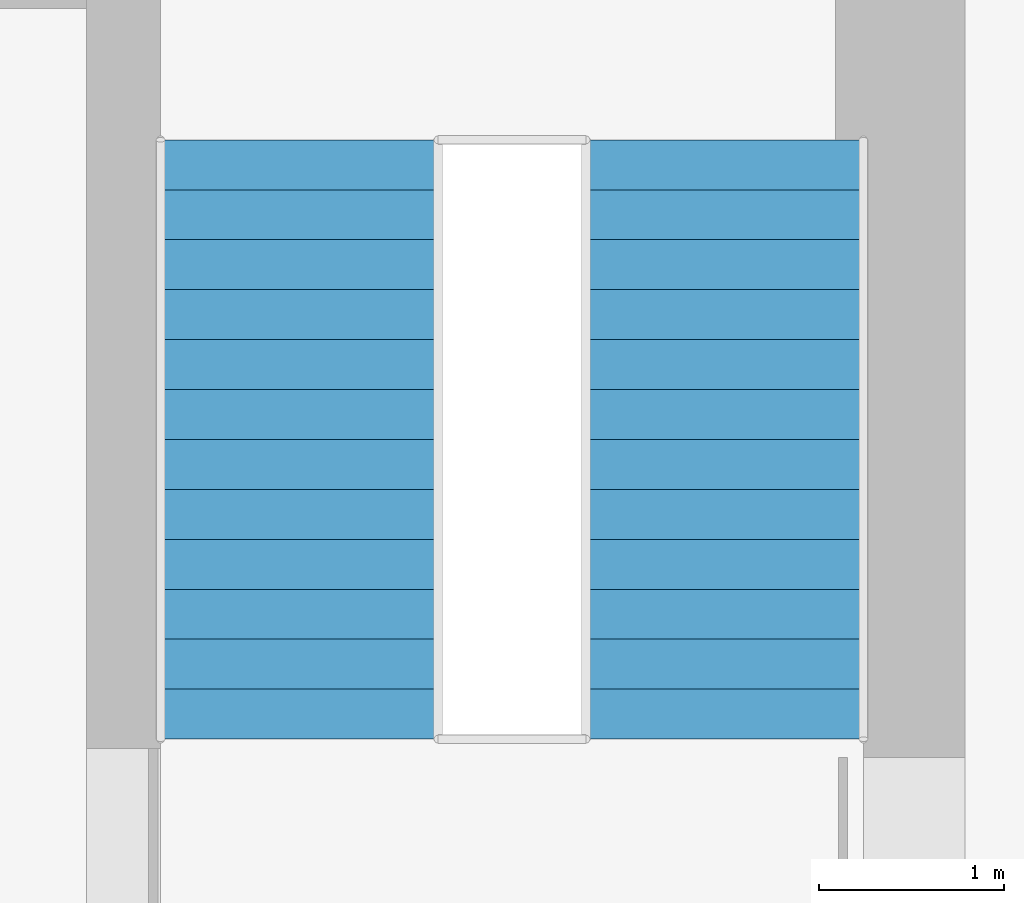
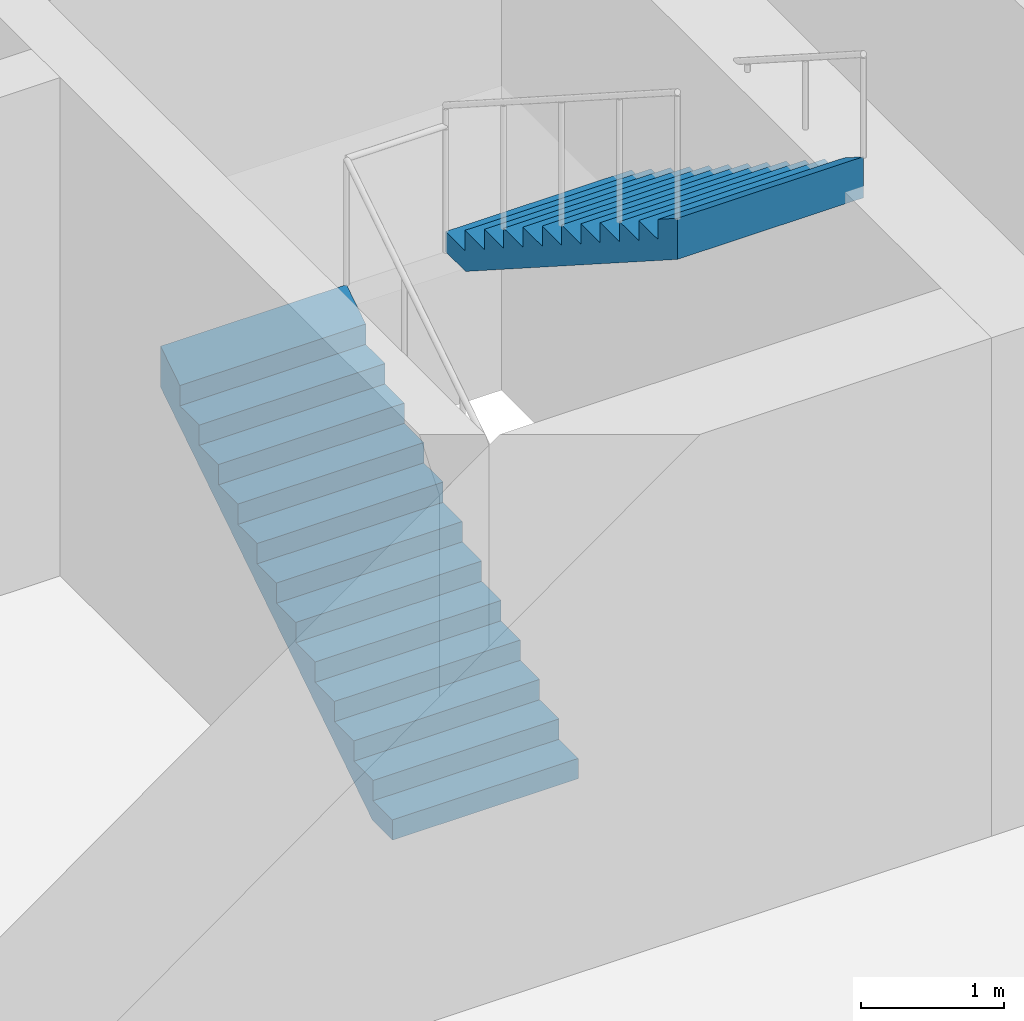
# One storey, part 17 of 31: 2 stair flights, 1 element without a shape of its own.
"""IFC4 building model written with IfcOpenShell, lengths in metres."""

import ifcopenshell
import ifcopenshell.guid

model = None  # the IFC model being written
_history = None  # IfcOwnerHistory: only IFC2X3 demands one
_inside = {}  # id of a spatial element -> (the spatial element, [elements in it])
_under = {}  # id of a project, library or spatial element -> (it, [spatial elements below it])
_declared = {}  # id of a project -> (the project, [libraries it declares])
_typed = {}  # id of a type object -> (the type object, [elements of that type])
_made_of = {}  # id of a material, layer set ... -> (it, [elements and type objects made of it])


def new_model(schema):
    """Start an empty IFC model of exactly this schema.

    Asked for "IFC4X3", IfcOpenShell would pick the latest addendum, in which some entities
    have other attributes; the version numbers below select the first issue.
    IFC2X3 requires an IfcOwnerHistory on every rooted entity: one is made here for all.
    """
    global model, _history
    if schema == "IFC4X3":
        model = ifcopenshell.file(schema_version=(4, 3, 0, 0))
    else:
        model = ifcopenshell.file(schema=schema)
    _inside.clear()
    _under.clear()
    _declared.clear()
    _typed.clear()
    _made_of.clear()
    _history = None
    if model.schema == "IFC2X3":
        org = make("IfcOrganization", Name="unknown")
        user = make(
            "IfcPersonAndOrganization",
            ThePerson=make("IfcPerson", FamilyName="unknown"),
            TheOrganization=org,
        )
        app = make(
            "IfcApplication",
            ApplicationDeveloper=org,
            Version="unknown",
            ApplicationFullName="unknown",
            ApplicationIdentifier="unknown",
        )
        _history = make(
            "IfcOwnerHistory",
            OwningUser=user,
            OwningApplication=app,
            ChangeAction="ADDED",
            CreationDate=0,
        )
    return model


def make(cls, **values):
    """One entity of the class cls with the attributes given. An attribute that is None is left unset."""
    return model.create_entity(
        cls, **{name: value for name, value in values.items() if value is not None}
    )


def rooted(cls, **values):
    """An entity with a GlobalId (a new one), such as an element, a storey or a relation."""
    return make(cls, GlobalId=ifcopenshell.guid.new(), OwnerHistory=_history, **values)


def si_unit(unit_type, name, prefix=None):
    """IfcSIUnit, for example si_unit("LENGTHUNIT", "METRE", prefix="MILLI")."""
    return make("IfcSIUnit", UnitType=unit_type, Prefix=prefix, Name=name)


def assignment(units):
    """IfcUnitAssignment: the units of a project."""
    return None if units is None else make("IfcUnitAssignment", Units=units)


def point(xyz):
    """IfcCartesianPoint."""
    return None if xyz is None else make("IfcCartesianPoint", Coordinates=xyz)


def direction(xyz):
    """IfcDirection."""
    return None if xyz is None else make("IfcDirection", DirectionRatios=xyz)


def frame(location, z_axis=None, x_axis=None):
    """IfcAxis2Placement3D, a coordinate frame: its origin and axes. An axis left out is left unset."""
    return make(
        "IfcAxis2Placement3D",
        Location=point(location),
        Axis=direction(z_axis),
        RefDirection=direction(x_axis),
    )


def origin():
    """The frame at (0, 0, 0) with its axes left unset."""
    return frame((0.0, 0.0, 0.0))


def place(relative_to, where):
    """IfcLocalPlacement: puts the frame where relative to a parent placement (None: the world)."""
    return make(
        "IfcLocalPlacement", PlacementRelTo=relative_to, RelativePlacement=where
    )


def context(
    kind, dimensions, precision=None, world=None, true_north=None, identifier=None
):
    """IfcGeometricRepresentationContext, for example the 3D "Model" context."""
    return make(
        "IfcGeometricRepresentationContext",
        ContextIdentifier=identifier,
        ContextType=kind,
        CoordinateSpaceDimension=dimensions,
        Precision=precision,
        WorldCoordinateSystem=world,
        TrueNorth=true_north,
    )


def subcontext(parent, identifier, kind, view, scale=None):
    """IfcGeometricRepresentationSubContext, for example "Body" below "Model"."""
    return make(
        "IfcGeometricRepresentationSubContext",
        ContextIdentifier=identifier,
        ContextType=kind,
        ParentContext=parent,
        TargetScale=scale,
        TargetView=view,
    )


def project(units=None, contexts=None):
    """IfcProject with its units and contexts."""
    return rooted(
        "IfcProject",
        Name="project",
        RepresentationContexts=contexts,
        UnitsInContext=assignment(units),
    )


def spatial(cls, under=None, at=None, **own):
    """A site, building, storey or space (cls), placed at a placement, below another one or the project."""
    s = rooted(cls, ObjectPlacement=at, **own)
    if under is not None:
        _under.setdefault(under.id(), (under, []))[1].append(s)
    return s


def point_list(points):
    """IfcCartesianPointList2D or 3D."""
    cls = (
        "IfcCartesianPointList2D" if len(points[0]) == 2 else "IfcCartesianPointList3D"
    )
    return make(cls, CoordList=points)


def triangles(points, corners, closed=None, point_numbers=None):
    """IfcTriangulatedFaceSet: each triangle names its three corners, points numbered from 1."""
    return make(
        "IfcTriangulatedFaceSet",
        Coordinates=point_list(points),
        Closed=closed,
        CoordIndex=corners,
        PnIndex=point_numbers,
    )


def shape(context_of_items, identifier, shape_type, items):
    """IfcShapeRepresentation: the items that make up one representation, for example the "Body"."""
    return make(
        "IfcShapeRepresentation",
        ContextOfItems=context_of_items,
        RepresentationIdentifier=identifier,
        RepresentationType=shape_type,
        Items=items,
    )


def material(Name=None, Category=None):
    """IfcMaterial."""
    return make("IfcMaterial", Name=Name, Category=Category)


def made_of(thing, what):
    """Note that an element or type object is made of a material, layer set ...; save() writes the relation."""
    if what is not None:
        _made_of.setdefault(what.id(), (what, []))[1].append(thing)
    return thing


def type_object(cls, material=None, **own):
    """A type object (cls), such as IfcWallType, which elements share."""
    return made_of(rooted(cls, **own), material)


def element(
    cls,
    number,
    at=None,
    inside=None,
    cuts=None,
    type_object=None,
    material=None,
    context=None,
    identifier="Body",
    shape_type=None,
    held_by="IfcProductDefinitionShape",
    body=None,
    shapes=None,
    **own,
):
    """One element of the class cls, such as IfcWall. Its Tag is "e" and its number.

    at: its placement. inside: the storey or other place that contains it. cuts: it is an
    opening in that element (IfcRelVoidsElement). A single representation is given by context,
    identifier, shape_type and body (its items); several are given by shapes. held_by: the class
    of the entity that holds the representations. save() writes the other relations.
    """
    e = rooted(cls, Tag="e%d" % number, ObjectPlacement=at, **own)
    if body is not None:
        shapes = [shape(context, identifier, shape_type, body)]
    if shapes is not None:
        e.Representation = make(held_by, Representations=shapes)
    if inside is not None:
        _inside.setdefault(inside.id(), (inside, []))[1].append(e)
    if cuts is not None:
        rooted(
            "IfcRelVoidsElement", RelatingBuildingElement=cuts, RelatedOpeningElement=e
        )
    if type_object is not None:
        _typed.setdefault(type_object.id(), (type_object, []))[1].append(e)
    return made_of(e, material)


def aggregate(whole, parts):
    """IfcRelAggregates: a whole, such as a stair, and the parts it consists of."""
    return rooted("IfcRelAggregates", RelatingObject=whole, RelatedObjects=parts)


def save(model, path):
    """Write the relations noted so far, then the file.

    IfcRelAggregates (storeys below a building ...), IfcRelContainedInSpatialStructure (elements
    in a storey), IfcRelDefinesByType, IfcRelAssociatesMaterial and IfcRelDeclares: one each for
    every whole, place, type object, material and project.
    """
    for whole, parts in _under.values():
        aggregate(whole, parts)
    for where, things in _inside.values():
        rooted(
            "IfcRelContainedInSpatialStructure",
            RelatedElements=things,
            RelatingStructure=where,
        )
    for kind, things in _typed.values():
        rooted("IfcRelDefinesByType", RelatedObjects=things, RelatingType=kind)
    for what, things in _made_of.values():
        rooted("IfcRelAssociatesMaterial", RelatedObjects=things, RelatingMaterial=what)
    for by, libraries in _declared.values():
        rooted("IfcRelDeclares", RelatingContext=by, RelatedDefinitions=libraries)
    model.write(path)


model = new_model("IFC4")

# Units and contexts
model_context = context("Model", 3, precision=1e-05, world=origin(), true_north=direction((0.0, 1.0)))
body_context = subcontext(model_context, "Body", "Model", "MODEL_VIEW")
ifc_project = project(units=[si_unit("LENGTHUNIT", "METRE"), si_unit("AREAUNIT", "SQUARE_METRE"), si_unit("VOLUMEUNIT", "CUBIC_METRE"), si_unit("PLANEANGLEUNIT", "RADIAN"), si_unit("MASSUNIT", "GRAM", prefix="KILO")], contexts=[model_context])

# Site, building, storey
site_placement = place(None, origin())
site = spatial("IfcSite", under=ifc_project, at=site_placement, CompositionType="ELEMENT")
building_placement = place(site_placement, origin())
building = spatial("IfcBuilding", under=site, at=building_placement, Name="Ludao Terraces", CompositionType="ELEMENT")
storey_placement = place(building_placement, frame((0.0, 0.0, 15.0)))
storey = spatial("IfcBuildingStorey", under=building, at=storey_placement, Name="L03", CompositionType="ELEMENT", Elevation=15.0)

# Stair, stair flights
ifc_material = material(Name="Concrete C40", Category="concrete")
stair_type = type_object("IfcStairType", Name="INT Stair", PredefinedType="HALF_TURN_STAIR", material=ifc_material)
stair_placement = place(storey_placement, origin())
stair = element("IfcStair", 1, at=stair_placement, inside=storey, type_object=stair_type, Name="EXIT STAIR 3", PredefinedType="HALF_TURN_STAIR")
stair_flight_type = type_object("IfcStairFlightType", Name="INT Stair flight", PredefinedType="STRAIGHT", material=ifc_material)
stair_flight_1_placement = place(storey_placement, frame((91.5, 56.949951171875, 0.0), z_axis=(0.0, 0.0, 1.0), x_axis=(0.0, 1.0, 0.0)))
stair_flight_1 = element("IfcStairFlight", 2, at=stair_flight_1_placement, type_object=stair_flight_type, Name="ST3 flight 1", NumberOfRisers=13, NumberOfTreads=12, PredefinedType="STRAIGHT", RiserHeight=0.173077, TreadLength=0.27, context=body_context, shape_type="Tessellation", body=[
    triangles([(0.0, -0.75, 0.0), (0.0, -0.5, 0.0), (0.0, -0.25, 0.0), (0.0, 0.0, 0.0), (0.0, 0.25, 0.0), (0.0, 0.5, 0.0), (0.0, 0.75, 0.0), (0.0, -0.75, 0.173095703125), (0.0, -0.5, 0.173095703125), (0.0, -0.25, 0.173095703125), (0.0, 0.0, 0.173095703125), (0.0, 0.25, 0.173095703125), (0.0, 0.5, 0.173095703125), (0.0, 0.75, 0.173095703125), (0.27001953125, -0.75, 0.173095703125), (0.27001953125, -0.5, 0.173095703125), (0.27001953125, -0.25, 0.173095703125), (0.27001953125, 0.0, 0.173095703125), (0.27001953125, 0.25, 0.173095703125), (0.27001953125, 0.5, 0.173095703125), (0.27001953125, 0.75, 0.173095703125), (0.27001953125, -0.75, 0.34619140625), (0.27001953125, -0.5, 0.34619140625), (0.27001953125, -0.25, 0.34619140625), (0.27001953125, 0.0, 0.34619140625), (0.27001953125, 0.25, 0.34619140625), (0.27001953125, 0.5, 0.34619140625), (0.27001953125, 0.75, 0.34619140625), (0.5400390625, -0.75, 0.34619140625), (0.5400390625, -0.5, 0.34619140625), (0.5400390625, -0.25, 0.34619140625), (0.5400390625, 0.0, 0.34619140625), (0.5400390625, 0.25, 0.34619140625), (0.5400390625, 0.5, 0.34619140625), (0.5400390625, 0.75, 0.34619140625), (0.5400390625, -0.75, 0.519287109375), (0.5400390625, -0.5, 0.519287109375), (0.5400390625, -0.25, 0.519287109375), (0.5400390625, 0.0, 0.519287109375), (0.5400390625, 0.25, 0.519287109375), (0.5400390625, 0.5, 0.519287109375), (0.5400390625, 0.75, 0.519287109375), (0.81005859375, -0.75, 0.519287109375), (0.81005859375, -0.5, 0.519287109375), (0.81005859375, -0.25, 0.519287109375), (0.81005859375, 0.0, 0.519287109375), (0.81005859375, 0.25, 0.519287109375), (0.81005859375, 0.5, 0.519287109375), (0.81005859375, 0.75, 0.519287109375), (0.81005859375, -0.75, 0.6923828125), (0.81005859375, -0.5, 0.6923828125), (0.81005859375, -0.25, 0.6923828125), (0.81005859375, 0.0, 0.6923828125), (0.81005859375, 0.25, 0.6923828125), (0.81005859375, 0.5, 0.6923828125), (0.81005859375, 0.75, 0.6923828125), (1.080078125, -0.75, 0.6923828125), (1.080078125, -0.5, 0.6923828125), (1.080078125, -0.25, 0.6923828125), (1.080078125, 0.0, 0.6923828125), (1.080078125, 0.25, 0.6923828125), (1.080078125, 0.5, 0.6923828125), (1.080078125, 0.75, 0.6923828125), (1.080078125, -0.75, 0.865478515625), (1.080078125, -0.5, 0.865478515625), (1.080078125, -0.25, 0.865478515625), (1.080078125, 0.0, 0.865478515625), (1.080078125, 0.25, 0.865478515625), (1.080078125, 0.5, 0.865478515625), (1.080078125, 0.75, 0.865478515625), (1.35009765625, -0.75, 0.865478515625), (1.35009765625, -0.5, 0.865478515625), (1.35009765625, -0.25, 0.865478515625), (1.35009765625, 0.0, 0.865478515625), (1.35009765625, 0.25, 0.865478515625), (1.35009765625, 0.5, 0.865478515625), (1.35009765625, 0.75, 0.865478515625), (1.35009765625, -0.75, 1.03857421875), (1.35009765625, -0.5, 1.03857421875), (1.35009765625, -0.25, 1.03857421875), (1.35009765625, 0.0, 1.03857421875), (1.35009765625, 0.25, 1.03857421875), (1.35009765625, 0.5, 1.03857421875), (1.35009765625, 0.75, 1.03857421875), (1.6201171875, -0.75, 1.03857421875), (1.6201171875, -0.5, 1.03857421875), (1.6201171875, -0.25, 1.03857421875), (1.6201171875, 0.0, 1.03857421875), (1.6201171875, 0.25, 1.03857421875), (1.6201171875, 0.5, 1.03857421875), (1.6201171875, 0.75, 1.03857421875), (1.6201171875, -0.75, 1.21142578125), (1.6201171875, -0.5, 1.21142578125), (1.6201171875, -0.25, 1.21142578125), (1.6201171875, 0.0, 1.21142578125), (1.6201171875, 0.25, 1.21142578125), (1.6201171875, 0.5, 1.21142578125), (1.6201171875, 0.75, 1.21142578125), (1.889892578125, -0.75, 1.21142578125), (1.889892578125, -0.5, 1.21142578125), (1.889892578125, -0.25, 1.21142578125), (1.889892578125, 0.0, 1.21142578125), (1.889892578125, 0.25, 1.21142578125), (1.889892578125, 0.5, 1.21142578125), (1.889892578125, 0.75, 1.21142578125), (1.889892578125, -0.75, 1.384521484375), (1.889892578125, -0.5, 1.384521484375), (1.889892578125, -0.25, 1.384521484375), (1.889892578125, 0.0, 1.384521484375), (1.889892578125, 0.25, 1.384521484375), (1.889892578125, 0.5, 1.384521484375), (1.889892578125, 0.75, 1.384521484375), (2.159912109375, -0.75, 1.384521484375), (2.159912109375, -0.5, 1.384521484375), (2.159912109375, -0.25, 1.384521484375), (2.159912109375, 0.0, 1.384521484375), (2.159912109375, 0.25, 1.384521484375), (2.159912109375, 0.5, 1.384521484375), (2.159912109375, 0.75, 1.384521484375), (2.159912109375, -0.75, 1.5576171875), (2.159912109375, -0.5, 1.5576171875), (2.159912109375, -0.25, 1.5576171875), (2.159912109375, 0.0, 1.5576171875), (2.159912109375, 0.25, 1.5576171875), (2.159912109375, 0.5, 1.5576171875), (2.159912109375, 0.75, 1.5576171875), (2.429931640625, -0.75, 1.5576171875), (2.429931640625, -0.5, 1.5576171875), (2.429931640625, -0.25, 1.5576171875), (2.429931640625, 0.0, 1.5576171875), (2.429931640625, 0.25, 1.5576171875), (2.429931640625, 0.5, 1.5576171875), (2.429931640625, 0.75, 1.5576171875), (2.429931640625, -0.75, 1.730712890625), (2.429931640625, -0.5, 1.730712890625), (2.429931640625, -0.25, 1.730712890625), (2.429931640625, 0.0, 1.730712890625), (2.429931640625, 0.25, 1.730712890625), (2.429931640625, 0.5, 1.730712890625), (2.429931640625, 0.75, 1.730712890625), (2.699951171875, -0.75, 1.730712890625), (2.699951171875, -0.5, 1.730712890625), (2.699951171875, -0.25, 1.730712890625), (2.699951171875, 0.0, 1.730712890625), (2.699951171875, 0.25, 1.730712890625), (2.699951171875, 0.5, 1.730712890625), (2.699951171875, 0.75, 1.730712890625), (2.699951171875, -0.75, 1.90380859375), (2.699951171875, -0.5, 1.90380859375), (2.699951171875, -0.25, 1.90380859375), (2.699951171875, 0.0, 1.90380859375), (2.699951171875, 0.25, 1.90380859375), (2.699951171875, 0.5, 1.90380859375), (2.699951171875, 0.75, 1.90380859375), (2.969970703125, -0.75, 1.90380859375), (2.969970703125, -0.5, 1.90380859375), (2.969970703125, -0.25, 1.90380859375), (2.969970703125, 0.0, 1.90380859375), (2.969970703125, 0.25, 1.90380859375), (2.969970703125, 0.5, 1.90380859375), (2.969970703125, 0.75, 1.90380859375), (2.969970703125, -0.75, 2.076904296875), (2.969970703125, -0.5, 2.076904296875), (2.969970703125, -0.25, 2.076904296875), (2.969970703125, 0.0, 2.076904296875), (2.969970703125, 0.25, 2.076904296875), (2.969970703125, 0.5, 2.076904296875), (2.969970703125, 0.75, 2.076904296875), (3.239990234375, -0.75, 2.25), (3.239990234375, -0.5, 2.25), (3.239990234375, -0.25, 2.25), (3.239990234375, 0.0, 2.25), (3.239990234375, 0.25, 2.25), (3.239990234375, 0.5, 2.25), (3.239990234375, 0.75, 2.25), (3.239990234375, -0.75, 1.89892578125), (3.239990234375, -0.5, 1.89892578125), (3.239990234375, -0.25, 1.89892578125), (3.239990234375, 0.0, 1.89892578125), (3.239990234375, 0.25, 1.89892578125), (3.239990234375, 0.5, 1.89892578125), (3.239990234375, 0.75, 1.89892578125), (0.27783203125, -0.75, 0.0), (0.27783203125, -0.5, 0.0), (0.27783203125, -0.25, 0.0), (0.27783203125, 0.0, 0.0), (0.27783203125, 0.25, 0.0), (0.27783203125, 0.5, 0.0), (0.27783203125, 0.75, 0.0)], [[1, 183, 176], [7, 182, 189], [176, 169, 162], [182, 168, 175], [176, 162, 155], [182, 161, 168], [176, 155, 148], [182, 154, 161], [176, 148, 141], [182, 147, 154], [141, 134, 127], [147, 133, 140], [176, 141, 127], [182, 133, 147], [127, 120, 113], [133, 119, 126], [176, 127, 113], [182, 119, 133], [113, 106, 99], [119, 105, 112], [176, 113, 99], [182, 105, 119], [1, 176, 99], [7, 105, 182], [99, 92, 85], [105, 91, 98], [85, 78, 71], [91, 77, 84], [99, 85, 71], [105, 77, 91], [71, 64, 57], [77, 63, 70], [99, 71, 57], [105, 63, 77], [57, 50, 43], [63, 49, 56], [99, 57, 43], [105, 49, 63], [43, 36, 29], [49, 35, 42], [99, 43, 29], [105, 35, 49], [29, 22, 15], [35, 21, 28], [99, 29, 15], [105, 21, 35], [1, 99, 15], [7, 21, 105], [15, 8, 1], [21, 7, 14], [1, 9, 2], [1, 8, 9], [2, 10, 3], [2, 9, 10], [3, 11, 4], [3, 10, 11], [4, 12, 5], [4, 11, 12], [5, 13, 6], [5, 12, 13], [6, 14, 7], [6, 13, 14], [8, 16, 9], [8, 15, 16], [9, 17, 10], [9, 16, 17], [10, 18, 11], [10, 17, 18], [11, 19, 12], [11, 18, 19], [12, 20, 13], [12, 19, 20], [13, 21, 14], [13, 20, 21], [15, 23, 16], [15, 22, 23], [16, 24, 17], [16, 23, 24], [17, 25, 18], [17, 24, 25], [18, 26, 19], [18, 25, 26], [19, 27, 20], [19, 26, 27], [20, 28, 21], [20, 27, 28], [22, 30, 23], [22, 29, 30], [23, 31, 24], [23, 30, 31], [24, 32, 25], [24, 31, 32], [25, 33, 26], [25, 32, 33], [26, 34, 27], [26, 33, 34], [27, 35, 28], [27, 34, 35], [29, 37, 30], [29, 36, 37], [30, 38, 31], [30, 37, 38], [31, 39, 32], [31, 38, 39], [32, 40, 33], [32, 39, 40], [33, 41, 34], [33, 40, 41], [34, 42, 35], [34, 41, 42], [36, 44, 37], [36, 43, 44], [37, 45, 38], [37, 44, 45], [38, 46, 39], [38, 45, 46], [39, 47, 40], [39, 46, 47], [40, 48, 41], [40, 47, 48], [41, 49, 42], [41, 48, 49], [43, 51, 44], [43, 50, 51], [44, 52, 45], [44, 51, 52], [45, 53, 46], [45, 52, 53], [46, 54, 47], [46, 53, 54], [47, 55, 48], [47, 54, 55], [48, 56, 49], [48, 55, 56], [50, 58, 51], [50, 57, 58], [51, 59, 52], [51, 58, 59], [52, 60, 53], [52, 59, 60], [53, 61, 54], [53, 60, 61], [54, 62, 55], [54, 61, 62], [55, 63, 56], [55, 62, 63], [57, 65, 58], [57, 64, 65], [58, 66, 59], [58, 65, 66], [59, 67, 60], [59, 66, 67], [60, 68, 61], [60, 67, 68], [61, 69, 62], [61, 68, 69], [62, 70, 63], [62, 69, 70], [64, 72, 65], [64, 71, 72], [65, 73, 66], [65, 72, 73], [66, 74, 67], [66, 73, 74], [67, 75, 68], [67, 74, 75], [68, 76, 69], [68, 75, 76], [69, 77, 70], [69, 76, 77], [71, 79, 72], [71, 78, 79], [72, 80, 73], [72, 79, 80], [73, 81, 74], [73, 80, 81], [74, 82, 75], [74, 81, 82], [75, 83, 76], [75, 82, 83], [76, 84, 77], [76, 83, 84], [78, 86, 79], [78, 85, 86], [79, 87, 80], [79, 86, 87], [80, 88, 81], [80, 87, 88], [81, 89, 82], [81, 88, 89], [82, 90, 83], [82, 89, 90], [83, 91, 84], [83, 90, 91], [85, 93, 86], [85, 92, 93], [86, 94, 87], [86, 93, 94], [87, 95, 88], [87, 94, 95], [88, 96, 89], [88, 95, 96], [89, 97, 90], [89, 96, 97], [90, 98, 91], [90, 97, 98], [92, 100, 93], [92, 99, 100], [93, 101, 94], [93, 100, 101], [94, 102, 95], [94, 101, 102], [95, 103, 96], [95, 102, 103], [96, 104, 97], [96, 103, 104], [97, 105, 98], [97, 104, 105], [99, 107, 100], [99, 106, 107], [100, 108, 101], [100, 107, 108], [101, 109, 102], [101, 108, 109], [102, 110, 103], [102, 109, 110], [103, 111, 104], [103, 110, 111], [104, 112, 105], [104, 111, 112], [106, 114, 107], [106, 113, 114], [107, 115, 108], [107, 114, 115], [108, 116, 109], [108, 115, 116], [109, 117, 110], [109, 116, 117], [110, 118, 111], [110, 117, 118], [111, 119, 112], [111, 118, 119], [113, 121, 114], [113, 120, 121], [114, 122, 115], [114, 121, 122], [115, 123, 116], [115, 122, 123], [116, 124, 117], [116, 123, 124], [117, 125, 118], [117, 124, 125], [118, 126, 119], [118, 125, 126], [120, 128, 121], [120, 127, 128], [121, 129, 122], [121, 128, 129], [122, 130, 123], [122, 129, 130], [123, 131, 124], [123, 130, 131], [124, 132, 125], [124, 131, 132], [125, 133, 126], [125, 132, 133], [127, 135, 128], [127, 134, 135], [128, 136, 129], [128, 135, 136], [129, 137, 130], [129, 136, 137], [130, 138, 131], [130, 137, 138], [131, 139, 132], [131, 138, 139], [132, 140, 133], [132, 139, 140], [134, 142, 135], [134, 141, 142], [135, 143, 136], [135, 142, 143], [136, 144, 137], [136, 143, 144], [137, 145, 138], [137, 144, 145], [138, 146, 139], [138, 145, 146], [139, 147, 140], [139, 146, 147], [141, 149, 142], [141, 148, 149], [142, 150, 143], [142, 149, 150], [143, 151, 144], [143, 150, 151], [144, 152, 145], [144, 151, 152], [145, 153, 146], [145, 152, 153], [146, 154, 147], [146, 153, 154], [148, 156, 149], [148, 155, 156], [149, 157, 150], [149, 156, 157], [150, 158, 151], [150, 157, 158], [151, 159, 152], [151, 158, 159], [152, 160, 153], [152, 159, 160], [153, 161, 154], [153, 160, 161], [155, 163, 156], [155, 162, 163], [156, 164, 157], [156, 163, 164], [157, 165, 158], [157, 164, 165], [158, 166, 159], [158, 165, 166], [159, 167, 160], [159, 166, 167], [160, 168, 161], [160, 167, 168], [162, 170, 163], [162, 169, 170], [163, 171, 164], [163, 170, 171], [164, 172, 165], [164, 171, 172], [165, 173, 166], [165, 172, 173], [166, 174, 167], [166, 173, 174], [167, 175, 168], [167, 174, 175], [169, 177, 170], [169, 176, 177], [170, 178, 171], [170, 177, 178], [171, 179, 172], [171, 178, 179], [172, 180, 173], [172, 179, 180], [173, 181, 174], [173, 180, 181], [174, 182, 175], [174, 181, 182], [176, 184, 177], [176, 183, 184], [177, 185, 178], [177, 184, 185], [178, 186, 179], [178, 185, 186], [179, 187, 180], [179, 186, 187], [180, 188, 181], [180, 187, 188], [181, 189, 182], [181, 188, 189], [183, 2, 184], [183, 1, 2], [184, 3, 185], [184, 2, 3], [185, 4, 186], [185, 3, 4], [186, 5, 187], [186, 4, 5], [187, 6, 188], [187, 5, 6], [188, 7, 189], [188, 6, 7]], closed=True),
])
stair_flight_2_placement = place(storey_placement, frame((93.800048828125, 60.18994140625, 2.25), z_axis=(0.0, 0.0, 1.0), x_axis=(0.0, -1.0, 0.0)))
stair_flight_2 = element("IfcStairFlight", 3, at=stair_flight_2_placement, type_object=stair_flight_type, Name="ST3 flight 2", NumberOfRisers=13, NumberOfTreads=12, PredefinedType="STRAIGHT", RiserHeight=0.173077, TreadLength=0.27, context=body_context, shape_type="Tessellation", body=[
    triangles([(0.0, -0.75, 0.0), (0.0, -0.5, 0.0), (0.0, -0.25, 0.0), (0.0, 0.0, 0.0), (0.0, 0.25, 0.0), (0.0, 0.5, 0.0), (0.0, 0.75, 0.0), (0.0, -0.75, 0.173095703125), (0.0, -0.5, 0.173095703125), (0.0, -0.25, 0.173095703125), (0.0, 0.0, 0.173095703125), (0.0, 0.25, 0.173095703125), (0.0, 0.5, 0.173095703125), (0.0, 0.75, 0.173095703125), (0.27001953125, -0.75, 0.173095703125), (0.27001953125, -0.5, 0.173095703125), (0.27001953125, -0.25, 0.173095703125), (0.27001953125, 0.0, 0.173095703125), (0.27001953125, 0.25, 0.173095703125), (0.27001953125, 0.5, 0.173095703125), (0.27001953125, 0.75, 0.173095703125), (0.27001953125, -0.75, 0.34619140625), (0.27001953125, -0.5, 0.34619140625), (0.27001953125, -0.25, 0.34619140625), (0.27001953125, 0.0, 0.34619140625), (0.27001953125, 0.25, 0.34619140625), (0.27001953125, 0.5, 0.34619140625), (0.27001953125, 0.75, 0.34619140625), (0.5400390625, -0.75, 0.34619140625), (0.5400390625, -0.5, 0.34619140625), (0.5400390625, -0.25, 0.34619140625), (0.5400390625, 0.0, 0.34619140625), (0.5400390625, 0.25, 0.34619140625), (0.5400390625, 0.5, 0.34619140625), (0.5400390625, 0.75, 0.34619140625), (0.5400390625, -0.75, 0.519287109375), (0.5400390625, -0.5, 0.519287109375), (0.5400390625, -0.25, 0.519287109375), (0.5400390625, 0.0, 0.519287109375), (0.5400390625, 0.25, 0.519287109375), (0.5400390625, 0.5, 0.519287109375), (0.5400390625, 0.75, 0.519287109375), (0.81005859375, -0.75, 0.519287109375), (0.81005859375, -0.5, 0.519287109375), (0.81005859375, -0.25, 0.519287109375), (0.81005859375, 0.0, 0.519287109375), (0.81005859375, 0.25, 0.519287109375), (0.81005859375, 0.5, 0.519287109375), (0.81005859375, 0.75, 0.519287109375), (0.81005859375, -0.75, 0.6923828125), (0.81005859375, -0.5, 0.6923828125), (0.81005859375, -0.25, 0.6923828125), (0.81005859375, 0.0, 0.6923828125), (0.81005859375, 0.25, 0.6923828125), (0.81005859375, 0.5, 0.6923828125), (0.81005859375, 0.75, 0.6923828125), (1.080078125, -0.75, 0.6923828125), (1.080078125, -0.5, 0.6923828125), (1.080078125, -0.25, 0.6923828125), (1.080078125, 0.0, 0.6923828125), (1.080078125, 0.25, 0.6923828125), (1.080078125, 0.5, 0.6923828125), (1.080078125, 0.75, 0.6923828125), (1.080078125, -0.75, 0.865478515625), (1.080078125, -0.5, 0.865478515625), (1.080078125, -0.25, 0.865478515625), (1.080078125, 0.0, 0.865478515625), (1.080078125, 0.25, 0.865478515625), (1.080078125, 0.5, 0.865478515625), (1.080078125, 0.75, 0.865478515625), (1.35009765625, -0.75, 0.865478515625), (1.35009765625, -0.5, 0.865478515625), (1.35009765625, -0.25, 0.865478515625), (1.35009765625, 0.0, 0.865478515625), (1.35009765625, 0.25, 0.865478515625), (1.35009765625, 0.5, 0.865478515625), (1.35009765625, 0.75, 0.865478515625), (1.35009765625, -0.75, 1.03857421875), (1.35009765625, -0.5, 1.03857421875), (1.35009765625, -0.25, 1.03857421875), (1.35009765625, 0.0, 1.03857421875), (1.35009765625, 0.25, 1.03857421875), (1.35009765625, 0.5, 1.03857421875), (1.35009765625, 0.75, 1.03857421875), (1.6201171875, -0.75, 1.03857421875), (1.6201171875, -0.5, 1.03857421875), (1.6201171875, -0.25, 1.03857421875), (1.6201171875, 0.0, 1.03857421875), (1.6201171875, 0.25, 1.03857421875), (1.6201171875, 0.5, 1.03857421875), (1.6201171875, 0.75, 1.03857421875), (1.6201171875, -0.75, 1.21142578125), (1.6201171875, -0.5, 1.21142578125), (1.6201171875, -0.25, 1.21142578125), (1.6201171875, 0.0, 1.21142578125), (1.6201171875, 0.25, 1.21142578125), (1.6201171875, 0.5, 1.21142578125), (1.6201171875, 0.75, 1.21142578125), (1.889892578125, -0.75, 1.21142578125), (1.889892578125, -0.5, 1.21142578125), (1.889892578125, -0.25, 1.21142578125), (1.889892578125, 0.0, 1.21142578125), (1.889892578125, 0.25, 1.21142578125), (1.889892578125, 0.5, 1.21142578125), (1.889892578125, 0.75, 1.21142578125), (1.889892578125, -0.75, 1.384521484375), (1.889892578125, -0.5, 1.384521484375), (1.889892578125, -0.25, 1.384521484375), (1.889892578125, 0.0, 1.384521484375), (1.889892578125, 0.25, 1.384521484375), (1.889892578125, 0.5, 1.384521484375), (1.889892578125, 0.75, 1.384521484375), (2.159912109375, -0.75, 1.384521484375), (2.159912109375, -0.5, 1.384521484375), (2.159912109375, -0.25, 1.384521484375), (2.159912109375, 0.0, 1.384521484375), (2.159912109375, 0.25, 1.384521484375), (2.159912109375, 0.5, 1.384521484375), (2.159912109375, 0.75, 1.384521484375), (2.159912109375, -0.75, 1.5576171875), (2.159912109375, -0.5, 1.5576171875), (2.159912109375, -0.25, 1.5576171875), (2.159912109375, 0.0, 1.5576171875), (2.159912109375, 0.25, 1.5576171875), (2.159912109375, 0.5, 1.5576171875), (2.159912109375, 0.75, 1.5576171875), (2.429931640625, -0.75, 1.5576171875), (2.429931640625, -0.5, 1.5576171875), (2.429931640625, -0.25, 1.5576171875), (2.429931640625, 0.0, 1.5576171875), (2.429931640625, 0.25, 1.5576171875), (2.429931640625, 0.5, 1.5576171875), (2.429931640625, 0.75, 1.5576171875), (2.429931640625, -0.75, 1.730712890625), (2.429931640625, -0.5, 1.730712890625), (2.429931640625, -0.25, 1.730712890625), (2.429931640625, 0.0, 1.730712890625), (2.429931640625, 0.25, 1.730712890625), (2.429931640625, 0.5, 1.730712890625), (2.429931640625, 0.75, 1.730712890625), (2.699951171875, -0.75, 1.730712890625), (2.699951171875, -0.5, 1.730712890625), (2.699951171875, -0.25, 1.730712890625), (2.699951171875, 0.0, 1.730712890625), (2.699951171875, 0.25, 1.730712890625), (2.699951171875, 0.5, 1.730712890625), (2.699951171875, 0.75, 1.730712890625), (2.699951171875, -0.75, 1.90380859375), (2.699951171875, -0.5, 1.90380859375), (2.699951171875, -0.25, 1.90380859375), (2.699951171875, 0.0, 1.90380859375), (2.699951171875, 0.25, 1.90380859375), (2.699951171875, 0.5, 1.90380859375), (2.699951171875, 0.75, 1.90380859375), (2.969970703125, -0.75, 1.90380859375), (2.969970703125, -0.5, 1.90380859375), (2.969970703125, -0.25, 1.90380859375), (2.969970703125, 0.0, 1.90380859375), (2.969970703125, 0.25, 1.90380859375), (2.969970703125, 0.5, 1.90380859375), (2.969970703125, 0.75, 1.90380859375), (2.969970703125, -0.75, 2.076904296875), (2.969970703125, -0.5, 2.076904296875), (2.969970703125, -0.25, 2.076904296875), (2.969970703125, 0.0, 2.076904296875), (2.969970703125, 0.25, 2.076904296875), (2.969970703125, 0.5, 2.076904296875), (2.969970703125, 0.75, 2.076904296875), (3.239990234375, -0.75, 2.25), (3.239990234375, -0.5, 2.25), (3.239990234375, -0.25, 2.25), (3.239990234375, 0.0, 2.25), (3.239990234375, 0.25, 2.25), (3.239990234375, 0.5, 2.25), (3.239990234375, 0.75, 2.25), (3.239990234375, -0.75, 1.89892578125), (3.239990234375, -0.5, 1.89892578125), (3.239990234375, -0.25, 1.89892578125), (3.239990234375, 0.0, 1.89892578125), (3.239990234375, 0.25, 1.89892578125), (3.239990234375, 0.5, 1.89892578125), (3.239990234375, 0.75, 1.89892578125), (0.27783203125, -0.75, 0.0), (0.27783203125, -0.5, 0.0), (0.27783203125, -0.25, 0.0), (0.27783203125, 0.0, 0.0), (0.27783203125, 0.25, 0.0), (0.27783203125, 0.5, 0.0), (0.27783203125, 0.75, 0.0)], [[1, 183, 176], [7, 182, 189], [176, 169, 162], [182, 168, 175], [176, 162, 155], [182, 161, 168], [176, 155, 148], [182, 154, 161], [176, 148, 141], [182, 147, 154], [141, 134, 127], [147, 133, 140], [176, 141, 127], [182, 133, 147], [127, 120, 113], [133, 119, 126], [176, 127, 113], [182, 119, 133], [113, 106, 99], [119, 105, 112], [176, 113, 99], [182, 105, 119], [1, 176, 99], [7, 105, 182], [99, 92, 85], [105, 91, 98], [85, 78, 71], [91, 77, 84], [99, 85, 71], [105, 77, 91], [71, 64, 57], [77, 63, 70], [99, 71, 57], [105, 63, 77], [57, 50, 43], [63, 49, 56], [99, 57, 43], [105, 49, 63], [43, 36, 29], [49, 35, 42], [99, 43, 29], [105, 35, 49], [29, 22, 15], [35, 21, 28], [99, 29, 15], [105, 21, 35], [1, 99, 15], [7, 21, 105], [15, 8, 1], [21, 7, 14], [1, 9, 2], [1, 8, 9], [2, 10, 3], [2, 9, 10], [3, 11, 4], [3, 10, 11], [4, 12, 5], [4, 11, 12], [5, 13, 6], [5, 12, 13], [6, 14, 7], [6, 13, 14], [8, 16, 9], [8, 15, 16], [9, 17, 10], [9, 16, 17], [10, 18, 11], [10, 17, 18], [11, 19, 12], [11, 18, 19], [12, 20, 13], [12, 19, 20], [13, 21, 14], [13, 20, 21], [15, 23, 16], [15, 22, 23], [16, 24, 17], [16, 23, 24], [17, 25, 18], [17, 24, 25], [18, 26, 19], [18, 25, 26], [19, 27, 20], [19, 26, 27], [20, 28, 21], [20, 27, 28], [22, 30, 23], [22, 29, 30], [23, 31, 24], [23, 30, 31], [24, 32, 25], [24, 31, 32], [25, 33, 26], [25, 32, 33], [26, 34, 27], [26, 33, 34], [27, 35, 28], [27, 34, 35], [29, 37, 30], [29, 36, 37], [30, 38, 31], [30, 37, 38], [31, 39, 32], [31, 38, 39], [32, 40, 33], [32, 39, 40], [33, 41, 34], [33, 40, 41], [34, 42, 35], [34, 41, 42], [36, 44, 37], [36, 43, 44], [37, 45, 38], [37, 44, 45], [38, 46, 39], [38, 45, 46], [39, 47, 40], [39, 46, 47], [40, 48, 41], [40, 47, 48], [41, 49, 42], [41, 48, 49], [43, 51, 44], [43, 50, 51], [44, 52, 45], [44, 51, 52], [45, 53, 46], [45, 52, 53], [46, 54, 47], [46, 53, 54], [47, 55, 48], [47, 54, 55], [48, 56, 49], [48, 55, 56], [50, 58, 51], [50, 57, 58], [51, 59, 52], [51, 58, 59], [52, 60, 53], [52, 59, 60], [53, 61, 54], [53, 60, 61], [54, 62, 55], [54, 61, 62], [55, 63, 56], [55, 62, 63], [57, 65, 58], [57, 64, 65], [58, 66, 59], [58, 65, 66], [59, 67, 60], [59, 66, 67], [60, 68, 61], [60, 67, 68], [61, 69, 62], [61, 68, 69], [62, 70, 63], [62, 69, 70], [64, 72, 65], [64, 71, 72], [65, 73, 66], [65, 72, 73], [66, 74, 67], [66, 73, 74], [67, 75, 68], [67, 74, 75], [68, 76, 69], [68, 75, 76], [69, 77, 70], [69, 76, 77], [71, 79, 72], [71, 78, 79], [72, 80, 73], [72, 79, 80], [73, 81, 74], [73, 80, 81], [74, 82, 75], [74, 81, 82], [75, 83, 76], [75, 82, 83], [76, 84, 77], [76, 83, 84], [78, 86, 79], [78, 85, 86], [79, 87, 80], [79, 86, 87], [80, 88, 81], [80, 87, 88], [81, 89, 82], [81, 88, 89], [82, 90, 83], [82, 89, 90], [83, 91, 84], [83, 90, 91], [85, 93, 86], [85, 92, 93], [86, 94, 87], [86, 93, 94], [87, 95, 88], [87, 94, 95], [88, 96, 89], [88, 95, 96], [89, 97, 90], [89, 96, 97], [90, 98, 91], [90, 97, 98], [92, 100, 93], [92, 99, 100], [93, 101, 94], [93, 100, 101], [94, 102, 95], [94, 101, 102], [95, 103, 96], [95, 102, 103], [96, 104, 97], [96, 103, 104], [97, 105, 98], [97, 104, 105], [99, 107, 100], [99, 106, 107], [100, 108, 101], [100, 107, 108], [101, 109, 102], [101, 108, 109], [102, 110, 103], [102, 109, 110], [103, 111, 104], [103, 110, 111], [104, 112, 105], [104, 111, 112], [106, 114, 107], [106, 113, 114], [107, 115, 108], [107, 114, 115], [108, 116, 109], [108, 115, 116], [109, 117, 110], [109, 116, 117], [110, 118, 111], [110, 117, 118], [111, 119, 112], [111, 118, 119], [113, 121, 114], [113, 120, 121], [114, 122, 115], [114, 121, 122], [115, 123, 116], [115, 122, 123], [116, 124, 117], [116, 123, 124], [117, 125, 118], [117, 124, 125], [118, 126, 119], [118, 125, 126], [120, 128, 121], [120, 127, 128], [121, 129, 122], [121, 128, 129], [122, 130, 123], [122, 129, 130], [123, 131, 124], [123, 130, 131], [124, 132, 125], [124, 131, 132], [125, 133, 126], [125, 132, 133], [127, 135, 128], [127, 134, 135], [128, 136, 129], [128, 135, 136], [129, 137, 130], [129, 136, 137], [130, 138, 131], [130, 137, 138], [131, 139, 132], [131, 138, 139], [132, 140, 133], [132, 139, 140], [134, 142, 135], [134, 141, 142], [135, 143, 136], [135, 142, 143], [136, 144, 137], [136, 143, 144], [137, 145, 138], [137, 144, 145], [138, 146, 139], [138, 145, 146], [139, 147, 140], [139, 146, 147], [141, 149, 142], [141, 148, 149], [142, 150, 143], [142, 149, 150], [143, 151, 144], [143, 150, 151], [144, 152, 145], [144, 151, 152], [145, 153, 146], [145, 152, 153], [146, 154, 147], [146, 153, 154], [148, 156, 149], [148, 155, 156], [149, 157, 150], [149, 156, 157], [150, 158, 151], [150, 157, 158], [151, 159, 152], [151, 158, 159], [152, 160, 153], [152, 159, 160], [153, 161, 154], [153, 160, 161], [155, 163, 156], [155, 162, 163], [156, 164, 157], [156, 163, 164], [157, 165, 158], [157, 164, 165], [158, 166, 159], [158, 165, 166], [159, 167, 160], [159, 166, 167], [160, 168, 161], [160, 167, 168], [162, 170, 163], [162, 169, 170], [163, 171, 164], [163, 170, 171], [164, 172, 165], [164, 171, 172], [165, 173, 166], [165, 172, 173], [166, 174, 167], [166, 173, 174], [167, 175, 168], [167, 174, 175], [169, 177, 170], [169, 176, 177], [170, 178, 171], [170, 177, 178], [171, 179, 172], [171, 178, 179], [172, 180, 173], [172, 179, 180], [173, 181, 174], [173, 180, 181], [174, 182, 175], [174, 181, 182], [176, 184, 177], [176, 183, 184], [177, 185, 178], [177, 184, 185], [178, 186, 179], [178, 185, 186], [179, 187, 180], [179, 186, 187], [180, 188, 181], [180, 187, 188], [181, 189, 182], [181, 188, 189], [183, 2, 184], [183, 1, 2], [184, 3, 185], [184, 2, 3], [185, 4, 186], [185, 3, 4], [186, 5, 187], [186, 4, 5], [187, 6, 188], [187, 5, 6], [188, 7, 189], [188, 6, 7]], closed=True),
])
aggregate(stair, [stair_flight_1, stair_flight_2])

save(model, "model.ifc")
